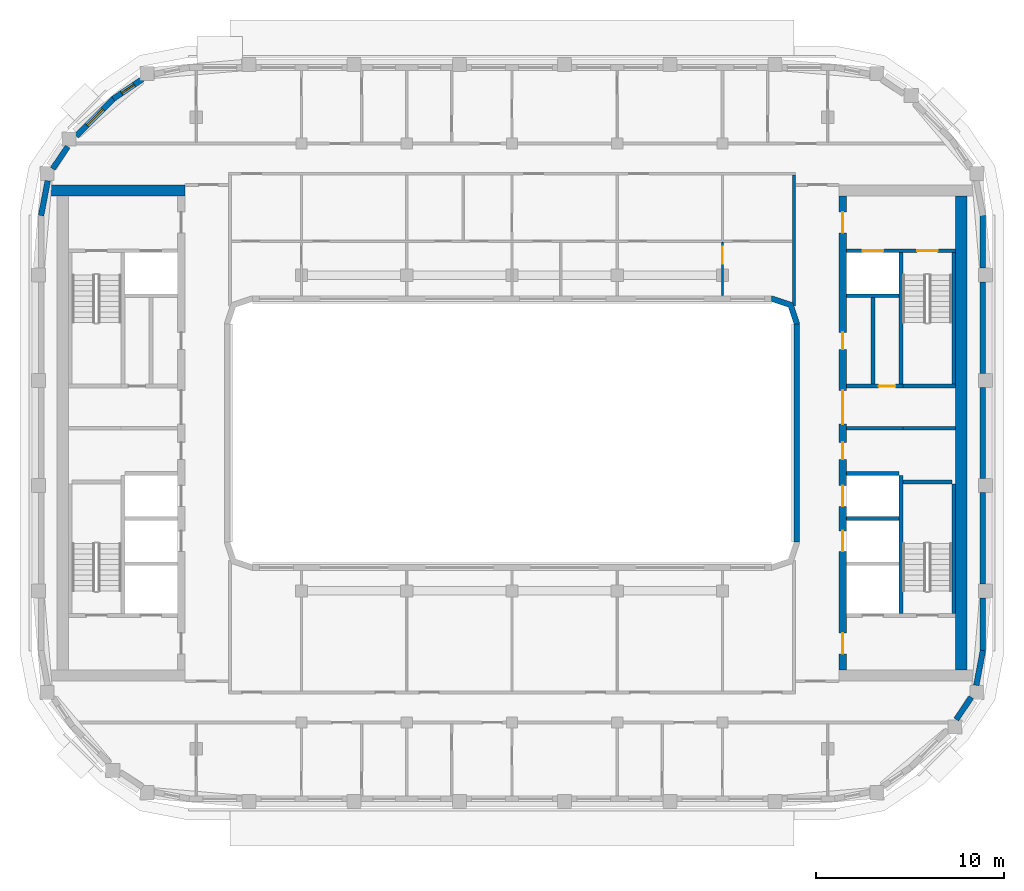
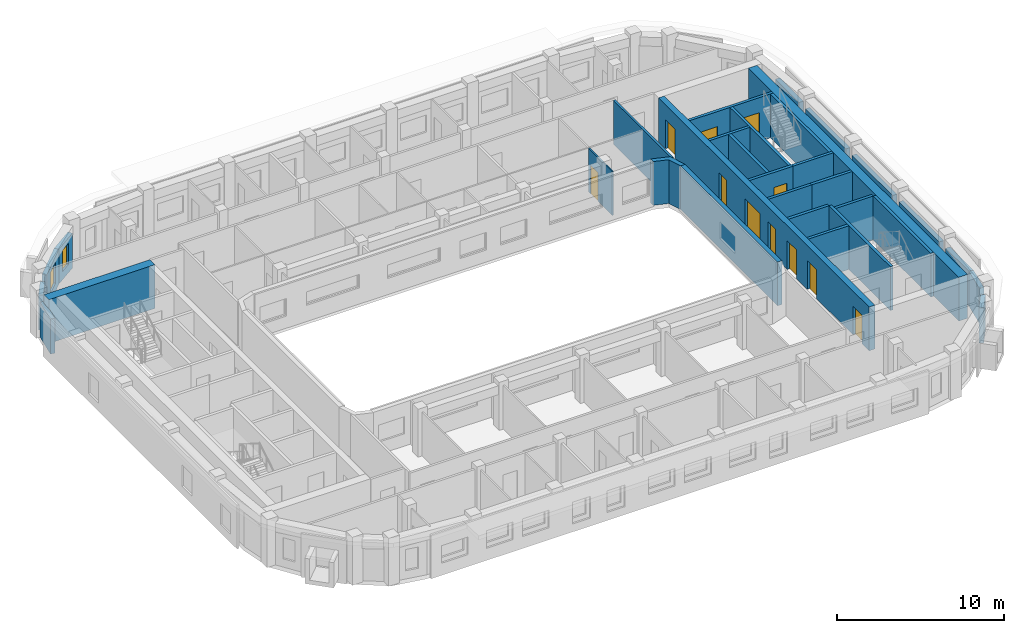
# One storey, part 6 of 16: 32 walls, 11 doors, 2 windows, 13 openings.
"""IFC4 building model written with IfcOpenShell, lengths in metres."""

from ifc_helpers import new_model, si_unit, direction, frame, frame_2d, origin, place, context, subcontext, project, spatial, polyline, rectangle, outline, extrude, material, layer, layer_set, type_object, element, fill, save


model = new_model("IFC4")

# Units and contexts
model_context = context("Model", 3, precision=1e-05, world=origin(), true_north=direction((0.0, 1.0)))
body_context = subcontext(model_context, "Body", "Model", "MODEL_VIEW")
ifc_project = project(units=[si_unit("LENGTHUNIT", "METRE"), si_unit("AREAUNIT", "SQUARE_METRE"), si_unit("VOLUMEUNIT", "CUBIC_METRE"), si_unit("PLANEANGLEUNIT", "RADIAN"), si_unit("MASSUNIT", "GRAM", prefix="KILO")], contexts=[model_context])

# Site, building, storey
site_placement = place(None, origin())
site = spatial("IfcSite", under=ifc_project, at=site_placement, CompositionType="ELEMENT")
building_placement = place(site_placement, origin())
building = spatial("IfcBuilding", under=site, at=building_placement, Name="Kiln Ring Residences", CompositionType="ELEMENT")
storey_placement = place(building_placement, frame((0.0, 0.0, 276.699951171875)))
storey = spatial("IfcBuildingStorey", under=building, at=storey_placement, Name="L72", CompositionType="ELEMENT", Elevation=276.699951171875)

# Walls
ifc_material_1 = material(Name="Gypsum board on steel studs", Category="steel")
ifc_layer_1 = layer(ifc_material_1, 0.199951171875)
ifc_layer_set_1 = layer_set([ifc_layer_1], Name="CORE-PARTITION-200")
wall_type_1 = type_object("IfcWallType", Name="CORE-PARTITION-200", PredefinedType="PARTITIONING", material=ifc_layer_set_1)
wall_1_placement = place(storey_placement, frame((20.800048828125, 0.25, 0.0), z_axis=(0.0, 0.0, 1.0), x_axis=(1.0, 0.0, 0.0)))
element("IfcWall", 1, at=wall_1_placement, inside=storey, type_object=wall_type_1, Name="Core partition east L72 1", PredefinedType="PARTITIONING", context=body_context, shape_type="SweptSolid", body=[
    extrude(rectangle(XDim=2.800048828125, YDim=0.199951171875, at=frame_2d((1.39990234375, 0.0))), origin(), (0.0, 0.0, 1.0), 3.199951171875),
])
wall_2_placement = place(storey_placement, frame((19.199951171875, 2.60009765625, 0.0), z_axis=(0.0, 0.0, 1.0), x_axis=(0.0, 1.0, 0.0)))
element("IfcWall", 2, at=wall_2_placement, inside=storey, type_object=wall_type_1, Name="Core partition east L72 2", PredefinedType="PARTITIONING", context=body_context, shape_type="SweptSolid", body=[
    extrude(rectangle(XDim=4.599853515625, YDim=0.199951171875, at=frame_2d((2.2998046875, 0.0))), origin(), (0.0, 0.0, 1.0), 3.199951171875),
])
ifc_material_2 = material(Name="Gypsum shaft wall system")
ifc_layer_2 = layer(ifc_material_2, 0.199951171875)
ifc_layer_set_2 = layer_set([ifc_layer_2], Name="CORE-SHAFT-WALL-200")
wall_type_2 = type_object("IfcWallType", Name="CORE-SHAFT-WALL-200", PredefinedType="PARTITIONING", material=ifc_layer_set_2)
for number, where, z_axis, x_axis, name in (
    (3, (17.800048828125, -4.550048828125, 0.0), (0.0, 0.0, 1.0), (1.0, 0.0, 0.0), "Core partition east L72 4"),
    (4, (17.800048828125, -2.14990234375, 0.0), (0.0, 0.0, 1.0), (1.0, 0.0, 0.0), "Core partition east L72 5"),
):
    element("IfcWall", number, at=place(storey_placement, frame(where, z_axis=z_axis, x_axis=x_axis)), inside=storey, type_object=wall_type_2, Name=name, PredefinedType="PARTITIONING", context=body_context, shape_type="SweptSolid", body=[
        extrude(rectangle(XDim=2.800048828125, YDim=0.199951171875, at=frame_2d((1.39990234375, 0.0))), origin(), (0.0, 0.0, 1.0), 3.199951171875),
    ])
wall_3_placement = place(storey_placement, frame((17.800048828125, 0.25, 0.0), z_axis=(0.0, 0.0, 1.0), x_axis=(1.0, 0.0, 0.0)))
element("IfcWall", 5, at=wall_3_placement, inside=storey, type_object=wall_type_2, Name="Core partition east L72 6", PredefinedType="PARTITIONING", context=body_context, shape_type="SweptSolid", body=[
    extrude(rectangle(XDim=3.0, YDim=0.199951171875, at=frame_2d((1.5, 0.0))), origin(), (0.0, 0.0, 1.0), 3.199951171875),
])

# Wall, opening, door
wall_4_placement = place(storey_placement, frame((17.800048828125, 2.5, 0.0), z_axis=(0.0, 0.0, 1.0), x_axis=(1.0, 0.0, 0.0)))
wall_4 = element("IfcWall", 6, at=wall_4_placement, inside=storey, type_object=wall_type_2, Name="Core partition east L72 7", PredefinedType="PARTITIONING", context=body_context, shape_type="SweptSolid", body=[
    extrude(rectangle(XDim=3.0, YDim=0.199951171875, at=frame_2d((1.5, 0.0))), origin(), (0.0, 0.0, 1.0), 3.199951171875),
])
opening_1_placement = place(wall_4_placement, frame((1.699951171875, 0.0, 0.0)))
opening_1 = element("IfcOpeningElement", 7, at=opening_1_placement, cuts=wall_4, Name="Opening L72-CE06", PredefinedType="OPENING", context=body_context, shape_type="SweptSolid", body=[
    extrude(rectangle(XDim=0.89990234375, YDim=2.10009765625, at=frame_2d((0.449951171875, 1.050048828125))), frame((0.0, 0.10986328125, 0.0), z_axis=(0.0, -1.0, 0.0), x_axis=(1.0, 0.0, 0.0)), (0.0, 0.0, 1.0), 0.219970703125),
])
ifc_material_3 = material(Name="Steel door leaf", Category="steel")
door_type_1 = type_object("IfcDoorType", Name="CORE-DOOR-ROOM", OperationType="SINGLE_SWING_LEFT", PredefinedType="DOOR", material=ifc_material_3)
door_1_placement = place(opening_1_placement, origin())
door_1 = element("IfcDoor", 8, at=door_1_placement, inside=storey, type_object=door_type_1, Name="Linen store L72-CE06", OperationType="SINGLE_SWING_RIGHT", OverallHeight=2.10009765625, OverallWidth=0.89990234375, PredefinedType="DOOR", context=body_context, shape_type="SweptSolid", body=[
    extrude(rectangle(XDim=0.89990234375, YDim=2.10009765625, at=frame_2d((0.449951171875, 1.050048828125))), frame((0.0, 0.02490234375, 0.0), z_axis=(0.0, -1.0, 0.0), x_axis=(1.0, 0.0, 0.0)), (0.0, 0.0, 1.0), 0.050048828125),
])
fill(opening_1, door_1)

# Walls
wall_5_placement = place(storey_placement, frame((17.800048828125, 7.300048828125, 0.0), z_axis=(0.0, 0.0, 1.0), x_axis=(1.0, 0.0, 0.0)))
element("IfcWall", 9, at=wall_5_placement, inside=storey, type_object=wall_type_2, Name="Core partition east L72 8", PredefinedType="PARTITIONING", context=body_context, shape_type="SweptSolid", body=[
    extrude(rectangle(XDim=2.800048828125, YDim=0.199951171875, at=frame_2d((1.39990234375, 0.0))), origin(), (0.0, 0.0, 1.0), 3.199951171875),
])
ifc_material_4 = material(Name="Concrete C40/50", Category="concrete")
ifc_layer_3 = layer(ifc_material_4, 0.199951171875)
ifc_layer_set_3 = layer_set([ifc_layer_3], Name="CORE-WALL-RC200")
wall_type_3 = type_object("IfcWallType", Name="CORE-WALL-RC200", PredefinedType="SHEAR", material=ifc_layer_set_3)
wall_6_placement = place(storey_placement, frame((20.699951171875, 2.60009765625, 0.0), z_axis=(0.0, 0.0, 1.0), x_axis=(0.0, 1.0, 0.0)))
element("IfcWall", 10, at=wall_6_placement, inside=storey, type_object=wall_type_3, Name="Core wall east L72 1", PredefinedType="SHEAR", context=body_context, shape_type="SweptSolid", body=[
    extrude(rectangle(XDim=7.0, YDim=0.199951171875, at=frame_2d((3.5, 0.0))), origin(), (0.0, 0.0, 1.0), 3.199951171875),
])
wall_7_placement = place(storey_placement, frame((20.699951171875, -9.60009765625, 0.0), z_axis=(0.0, 0.0, 1.0), x_axis=(0.0, 1.0, 0.0)))
element("IfcWall", 11, at=wall_7_placement, inside=storey, type_object=wall_type_3, Name="Core wall east L72 2", PredefinedType="SHEAR", context=body_context, shape_type="SweptSolid", body=[
    extrude(rectangle(XDim=7.35009765625, YDim=0.199951171875, at=frame_2d((3.675048828125, 0.0))), origin(), (0.0, 0.0, 1.0), 3.199951171875),
])
wall_8_placement = place(storey_placement, frame((20.800048828125, 2.5, 0.0), z_axis=(0.0, 0.0, 1.0), x_axis=(1.0, 0.0, 0.0)))
element("IfcWall", 12, at=wall_8_placement, inside=storey, type_object=wall_type_3, Name="Core wall east L72 3", PredefinedType="SHEAR", context=body_context, shape_type="SweptSolid", body=[
    extrude(rectangle(XDim=2.800048828125, YDim=0.199951171875, at=frame_2d((1.39990234375, 0.0))), origin(), (0.0, 0.0, 1.0), 3.199951171875),
])

# Wall, openings, doors
wall_9_placement = place(storey_placement, frame((17.800048828125, 9.699951171875, 0.0), z_axis=(0.0, 0.0, 1.0), x_axis=(1.0, 0.0, 0.0)))
wall_9 = element("IfcWall", 13, at=wall_9_placement, inside=storey, type_object=wall_type_3, Name="Core wall east L72 9", PredefinedType="SHEAR", context=body_context, shape_type="SweptSolid", body=[
    extrude(rectangle(XDim=5.800048828125, YDim=0.199951171875, at=frame_2d((2.89990234375, 0.0))), origin(), (0.0, 0.0, 1.0), 3.199951171875),
])
opening_2_placement = place(wall_9_placement, frame((0.85009765625, 0.0, 0.0)))
opening_2 = element("IfcOpeningElement", 14, at=opening_2_placement, cuts=wall_9, Name="Opening L72-CE07", PredefinedType="OPENING", context=body_context, shape_type="SweptSolid", body=[
    extrude(rectangle(XDim=1.10009765625, YDim=2.10009765625, at=frame_2d((0.550048828125, 1.050048828125))), frame((0.0, 0.10986328125, 0.0), z_axis=(0.0, -1.0, 0.0), x_axis=(1.0, 0.0, 0.0)), (0.0, 0.0, 1.0), 0.219970703125),
])
opening_3_placement = place(wall_9_placement, frame((3.75, 0.0, 0.0)))
opening_3 = element("IfcOpeningElement", 15, at=opening_3_placement, cuts=wall_9, Name="Opening L72-CE10", PredefinedType="OPENING", context=body_context, shape_type="SweptSolid", body=[
    extrude(rectangle(XDim=1.10009765625, YDim=2.10009765625, at=frame_2d((0.550048828125, 1.050048828125))), frame((0.0, 0.10986328125, 0.0), z_axis=(0.0, -1.0, 0.0), x_axis=(1.0, 0.0, 0.0)), (0.0, 0.0, 1.0), 0.219970703125),
])
ifc_material_5 = material(Name="Steel door leaf", Category="steel")
door_type_2 = type_object("IfcDoorType", Name="CORE-DOOR-LD", OperationType="DOUBLE_DOOR_SLIDING", PredefinedType="DOOR", material=ifc_material_5)
door_2_placement = place(opening_2_placement, origin())
door_2 = element("IfcDoor", 16, at=door_2_placement, inside=storey, type_object=door_type_2, Name="LD E-FF L72-CE07", OperationType="DOUBLE_DOOR_SLIDING", OverallHeight=2.10009765625, OverallWidth=1.10009765625, PredefinedType="DOOR", context=body_context, shape_type="SweptSolid", body=[
    extrude(rectangle(XDim=1.10009765625, YDim=2.10009765625, at=frame_2d((0.550048828125, 1.050048828125))), frame((0.0, 0.02490234375, 0.0), z_axis=(0.0, -1.0, 0.0), x_axis=(1.0, 0.0, 0.0)), (0.0, 0.0, 1.0), 0.050048828125),
])
fill(opening_2, door_2)
ifc_material_6 = material(Name="Steel door leaf", Category="steel")
door_type_3 = type_object("IfcDoorType", Name="CORE-DOOR-STAIR", OperationType="SINGLE_SWING_LEFT", PredefinedType="DOOR", material=ifc_material_6)
door_3_placement = place(opening_3_placement, origin())
door_3 = element("IfcDoor", 17, at=door_3_placement, inside=storey, type_object=door_type_3, Name="Stair E-STN L72-CE10", OperationType="SINGLE_SWING_LEFT", OverallHeight=2.10009765625, OverallWidth=1.10009765625, PredefinedType="DOOR", context=body_context, shape_type="SweptSolid", body=[
    extrude(rectangle(XDim=1.10009765625, YDim=2.10009765625, at=frame_2d((0.550048828125, 1.050048828125))), frame((0.0, 0.02490234375, 0.0), z_axis=(0.0, -1.0, 0.0), x_axis=(1.0, 0.0, 0.0)), (0.0, 0.0, 1.0), 0.050048828125),
])
fill(opening_3, door_3)

# Walls
wall_10_placement = place(storey_placement, frame((23.5, 2.60009765625, 0.0), z_axis=(0.0, 0.0, 1.0), x_axis=(0.0, 1.0, 0.0)))
element("IfcWall", 18, at=wall_10_placement, inside=storey, type_object=wall_type_3, Name="Core wall east L72 10", PredefinedType="SHEAR", context=body_context, shape_type="SweptSolid", body=[
    extrude(rectangle(XDim=7.0, YDim=0.199951171875, at=frame_2d((3.5, 0.0))), origin(), (0.0, 0.0, 1.0), 3.199951171875),
])
wall_11_placement = place(storey_placement, frame((23.5, -9.60009765625, 0.0), z_axis=(0.0, 0.0, 1.0), x_axis=(0.0, 1.0, 0.0)))
element("IfcWall", 19, at=wall_11_placement, inside=storey, type_object=wall_type_3, Name="Core wall east L72 11", PredefinedType="SHEAR", context=body_context, shape_type="SweptSolid", body=[
    extrude(rectangle(XDim=6.900146484375, YDim=0.199951171875, at=frame_2d((3.4501953125, 0.0))), origin(), (0.0, 0.0, 1.0), 3.199951171875),
])
wall_12_placement = place(storey_placement, frame((20.800048828125, -2.60009765625, 0.0), z_axis=(0.0, 0.0, 1.0), x_axis=(1.0, 0.0, 0.0)))
element("IfcWall", 20, at=wall_12_placement, inside=storey, type_object=wall_type_3, Name="Core wall east L72 12", PredefinedType="SHEAR", context=body_context, shape_type="SweptSolid", body=[
    extrude(rectangle(XDim=2.599853515625, YDim=0.199951171875, at=frame_2d((1.2998046875, 0.0))), origin(), (0.0, 0.0, 1.0), 3.199951171875),
])

# Wall, openings, doors
ifc_material_7 = material(Name="Concrete C60/75", Category="concrete")
ifc_layer_4 = layer(ifc_material_7, 0.39990234375)
ifc_layer_set_4 = layer_set([ifc_layer_4], Name="CORE-WALL-RC400")
wall_type_4 = type_object("IfcWallType", Name="CORE-WALL-RC400", PredefinedType="SHEAR", material=ifc_layer_set_4)
wall_13_placement = place(storey_placement, frame((17.60009765625, -12.60009765625, 0.0), z_axis=(0.0, 0.0, 1.0), x_axis=(0.0, 1.0, 0.0)))
wall_13 = element("IfcWall", 21, at=wall_13_placement, inside=storey, type_object=wall_type_4, Name="Core wall east L72 6", PredefinedType="SHEAR", context=body_context, shape_type="SweptSolid", body=[
    extrude(rectangle(XDim=25.2001953125, YDim=0.39990234375, at=frame_2d((12.60009765625, 0.0))), origin(), (0.0, 0.0, 1.0), 3.199951171875),
])
opening_4_placement = place(wall_13_placement, frame((6.300048828125, 0.0, 0.0)))
opening_4 = element("IfcOpeningElement", 22, at=opening_4_placement, cuts=wall_13, Name="Opening L72-CE02", PredefinedType="OPENING", context=body_context, shape_type="SweptSolid", body=[
    extrude(rectangle(XDim=1.10009765625, YDim=2.10009765625, at=frame_2d((0.550048828125, 1.050048828125))), frame((0.0, 0.2099609375, 0.0), z_axis=(0.0, -1.0, 0.0), x_axis=(1.0, 0.0, 0.0)), (0.0, 0.0, 1.0), 0.419921875),
])
opening_5_placement = place(wall_13_placement, frame((8.699951171875, 0.0, 0.0)))
opening_5 = element("IfcOpeningElement", 23, at=opening_5_placement, cuts=wall_13, Name="Opening L72-CE03", PredefinedType="OPENING", context=body_context, shape_type="SweptSolid", body=[
    extrude(rectangle(XDim=1.10009765625, YDim=2.10009765625, at=frame_2d((0.550048828125, 1.050048828125))), frame((0.0, 0.2099609375, 0.0), z_axis=(0.0, -1.0, 0.0), x_axis=(1.0, 0.0, 0.0)), (0.0, 0.0, 1.0), 0.419921875),
])
opening_6_placement = place(wall_13_placement, frame((11.199951171875, 0.0, 0.0)))
opening_6 = element("IfcOpeningElement", 24, at=opening_6_placement, cuts=wall_13, Name="Opening L72-CE04", PredefinedType="OPENING", context=body_context, shape_type="SweptSolid", body=[
    extrude(rectangle(XDim=0.89990234375, YDim=2.10009765625, at=frame_2d((0.449951171875, 1.050048828125))), frame((0.0, 0.2099609375, 0.0), z_axis=(0.0, -1.0, 0.0), x_axis=(1.0, 0.0, 0.0)), (0.0, 0.0, 1.0), 0.419921875),
])
opening_7_placement = place(wall_13_placement, frame((17.050048828125, 0.0, 0.0)))
opening_7 = element("IfcOpeningElement", 25, at=opening_7_placement, cuts=wall_13, Name="Opening L72-CE05", PredefinedType="OPENING", context=body_context, shape_type="SweptSolid", body=[
    extrude(rectangle(XDim=0.89990234375, YDim=2.10009765625, at=frame_2d((0.449951171875, 1.050048828125))), frame((0.0, 0.2099609375, 0.0), z_axis=(0.0, -1.0, 0.0), x_axis=(1.0, 0.0, 0.0)), (0.0, 0.0, 1.0), 0.419921875),
])
opening_8_placement = place(wall_13_placement, frame((23.25, 0.0, 0.0)))
opening_8 = element("IfcOpeningElement", 26, at=opening_8_placement, cuts=wall_13, Name="Opening L72-CE08", PredefinedType="OPENING", context=body_context, shape_type="SweptSolid", body=[
    extrude(rectangle(XDim=1.10009765625, YDim=2.10009765625, at=frame_2d((0.550048828125, 1.050048828125))), frame((0.0, 0.2099609375, 0.0), z_axis=(0.0, -1.0, 0.0), x_axis=(1.0, 0.0, 0.0)), (0.0, 0.0, 1.0), 0.419921875),
])
opening_9_placement = place(wall_13_placement, frame((0.85009765625, 0.0, 0.0)))
opening_9 = element("IfcOpeningElement", 27, at=opening_9_placement, cuts=wall_13, Name="Opening L72-CE09", PredefinedType="OPENING", context=body_context, shape_type="SweptSolid", body=[
    extrude(rectangle(XDim=1.10009765625, YDim=2.10009765625, at=frame_2d((0.550048828125, 1.050048828125))), frame((0.0, 0.2099609375, 0.0), z_axis=(0.0, -1.0, 0.0), x_axis=(1.0, 0.0, 0.0)), (0.0, 0.0, 1.0), 0.419921875),
])
opening_10_placement = place(wall_13_placement, frame((13.074951171875, 0.0, 0.0)))
opening_10 = element("IfcOpeningElement", 28, at=opening_10_placement, cuts=wall_13, Name="Opening L72-CE12", PredefinedType="OPENING", context=body_context, shape_type="SweptSolid", body=[
    extrude(rectangle(XDim=1.800048828125, YDim=2.10009765625, at=frame_2d((0.89990234375, 1.050048828125))), frame((0.0, 0.2099609375, 0.0), z_axis=(0.0, -1.0, 0.0), x_axis=(1.0, 0.0, 0.0)), (0.0, 0.0, 1.0), 0.419921875),
])
door_4_placement = place(opening_4_placement, origin())
door_4 = element("IfcDoor", 29, at=door_4_placement, inside=storey, type_object=door_type_2, Name="LD E-H1 L72-CE02", OperationType="DOUBLE_DOOR_SLIDING", OverallHeight=2.10009765625, OverallWidth=1.10009765625, PredefinedType="DOOR", context=body_context, shape_type="SweptSolid", body=[
    extrude(rectangle(XDim=1.10009765625, YDim=2.10009765625, at=frame_2d((0.550048828125, 1.050048828125))), frame((0.0, 0.02490234375, 0.0), z_axis=(0.0, -1.0, 0.0), x_axis=(1.0, 0.0, 0.0)), (0.0, 0.0, 1.0), 0.050048828125),
])
fill(opening_4, door_4)
door_5_placement = place(opening_5_placement, origin())
door_5 = element("IfcDoor", 30, at=door_5_placement, inside=storey, type_object=door_type_2, Name="LD E-H2 L72-CE03", OperationType="DOUBLE_DOOR_SLIDING", OverallHeight=2.10009765625, OverallWidth=1.10009765625, PredefinedType="DOOR", context=body_context, shape_type="SweptSolid", body=[
    extrude(rectangle(XDim=1.10009765625, YDim=2.10009765625, at=frame_2d((0.550048828125, 1.050048828125))), frame((0.0, 0.02490234375, 0.0), z_axis=(0.0, -1.0, 0.0), x_axis=(1.0, 0.0, 0.0)), (0.0, 0.0, 1.0), 0.050048828125),
])
fill(opening_5, door_5)
ifc_material_8 = material(Name="Steel door leaf", Category="steel")
door_type_4 = type_object("IfcDoorType", Name="CORE-DOOR-LOBBY", OperationType="SINGLE_SWING_LEFT", PredefinedType="DOOR", material=ifc_material_8)
door_6_placement = place(opening_8_placement, origin())
door_6 = element("IfcDoor", 31, at=door_6_placement, inside=storey, type_object=door_type_4, Name="FFL L72-CE08", OperationType="SINGLE_SWING_RIGHT", OverallHeight=2.10009765625, OverallWidth=1.10009765625, PredefinedType="DOOR", context=body_context, shape_type="SweptSolid", body=[
    extrude(rectangle(XDim=1.10009765625, YDim=2.10009765625, at=frame_2d((0.550048828125, 1.050048828125))), frame((0.0, 0.02490234375, 0.0), z_axis=(0.0, -1.0, 0.0), x_axis=(1.0, 0.0, 0.0)), (0.0, 0.0, 1.0), 0.050048828125),
])
fill(opening_8, door_6)
door_7_placement = place(opening_9_placement, origin())
door_7 = element("IfcDoor", 32, at=door_7_placement, inside=storey, type_object=door_type_4, Name="SVL L72-CE09", OperationType="SINGLE_SWING_LEFT", OverallHeight=2.10009765625, OverallWidth=1.10009765625, PredefinedType="DOOR", context=body_context, shape_type="SweptSolid", body=[
    extrude(rectangle(XDim=1.10009765625, YDim=2.10009765625, at=frame_2d((0.550048828125, 1.050048828125))), frame((0.0, 0.02490234375, 0.0), z_axis=(0.0, -1.0, 0.0), x_axis=(1.0, 0.0, 0.0)), (0.0, 0.0, 1.0), 0.050048828125),
])
fill(opening_9, door_7)
ifc_material_9 = material(Name="Steel door leaf", Category="steel")
door_type_5 = type_object("IfcDoorType", Name="CORE-DOOR-PASS", OperationType="DOUBLE_DOOR_SINGLE_SWING", PredefinedType="DOOR", material=ifc_material_9)
door_8_placement = place(opening_10_placement, origin())
door_8 = element("IfcDoor", 33, at=door_8_placement, inside=storey, type_object=door_type_5, Name="Core passage L72-CE12", OperationType="DOUBLE_DOOR_SINGLE_SWING", OverallHeight=2.10009765625, OverallWidth=1.800048828125, PredefinedType="DOOR", context=body_context, shape_type="SweptSolid", body=[
    extrude(rectangle(XDim=1.800048828125, YDim=2.10009765625, at=frame_2d((0.89990234375, 1.050048828125))), frame((0.0, 0.02490234375, 0.0), z_axis=(0.0, -1.0, 0.0), x_axis=(1.0, 0.0, 0.0)), (0.0, 0.0, 1.0), 0.050048828125),
])
fill(opening_10, door_8)
door_9_placement = place(opening_6_placement, origin())
door_9 = element("IfcDoor", 34, at=door_9_placement, inside=storey, type_object=door_type_1, Name="Linen store L72-CE04", OperationType="SINGLE_SWING_LEFT", OverallHeight=2.10009765625, OverallWidth=0.89990234375, PredefinedType="DOOR", context=body_context, shape_type="SweptSolid", body=[
    extrude(rectangle(XDim=0.89990234375, YDim=2.10009765625, at=frame_2d((0.449951171875, 1.050048828125))), frame((0.0, 0.02490234375, 0.0), z_axis=(0.0, -1.0, 0.0), x_axis=(1.0, 0.0, 0.0)), (0.0, 0.0, 1.0), 0.050048828125),
])
fill(opening_6, door_9)
door_10_placement = place(opening_7_placement, origin())
door_10 = element("IfcDoor", 35, at=door_10_placement, inside=storey, type_object=door_type_1, Name="Janitor's store L72-CE05", OperationType="SINGLE_SWING_RIGHT", OverallHeight=2.10009765625, OverallWidth=0.89990234375, PredefinedType="DOOR", context=body_context, shape_type="SweptSolid", body=[
    extrude(rectangle(XDim=0.89990234375, YDim=2.10009765625, at=frame_2d((0.449951171875, 1.050048828125))), frame((0.0, 0.02490234375, 0.0), z_axis=(0.0, -1.0, 0.0), x_axis=(1.0, 0.0, 0.0)), (0.0, 0.0, 1.0), 0.050048828125),
])
fill(opening_7, door_10)

# Walls
ifc_material_10 = material(Name="Concrete C60/75", Category="concrete")
ifc_layer_5 = layer(ifc_material_10, 0.60009765625)
ifc_layer_set_5 = layer_set([ifc_layer_5], Name="CORE-WALL-RC600")
wall_type_5 = type_object("IfcWallType", Name="CORE-WALL-RC600", PredefinedType="SHEAR", material=ifc_layer_set_5)
wall_14_placement = place(storey_placement, frame((-17.39990234375, 12.89990234375, 0.0), z_axis=(0.0, 0.0, 1.0), x_axis=(-1.0, 0.0, 0.0)))
element("IfcWall", 36, at=wall_14_placement, inside=storey, type_object=wall_type_5, Name="Core wall west L72 4", PredefinedType="SHEAR", context=body_context, shape_type="SweptSolid", body=[
    extrude(rectangle(XDim=7.320068359375, YDim=0.60009765625, at=frame_2d((3.66015625, 0.0))), origin(), (0.0, 0.0, 1.0), 3.199951171875),
])
wall_15_placement = place(storey_placement, frame((23.89990234375, -12.60009765625, 0.0), z_axis=(0.0, 0.0, 1.0), x_axis=(0.0, 1.0, 0.0)))
element("IfcWall", 37, at=wall_15_placement, inside=storey, type_object=wall_type_5, Name="Core wall east L72 7", PredefinedType="SHEAR", context=body_context, shape_type="SweptSolid", body=[
    extrude(rectangle(XDim=25.2001953125, YDim=0.60009765625, at=frame_2d((12.60009765625, 0.0))), origin(), (0.0, 0.0, 1.0), 3.199951171875),
])
ifc_material_11 = material(Name="Brick masonry, dark clay brick", Category="masonry")
ifc_layer_6 = layer(ifc_material_11, 0.300048828125)
ifc_layer_set_6 = layer_set([ifc_layer_6], Name="EW-300 BRICK WALL")
wall_type_6 = type_object("IfcWallType", Name="EW-300 BRICK WALL", PredefinedType="SOLIDWALL", material=ifc_layer_set_6)
wall_16_placement = place(storey_placement, frame((23.634033203125, -15.2373046875, 0.0), z_axis=(0.0, 0.0, 1.0), x_axis=(0.562099454787, 0.827069648173, 0.0)))
element("IfcWall", 38, at=wall_16_placement, inside=storey, type_object=wall_type_6, Name="Facade wall L72 14", PredefinedType="SOLIDWALL", context=body_context, shape_type="SweptSolid", body=[
    extrude(rectangle(XDim=1.42724609375, YDim=0.300048828125, at=frame_2d((0.713623046875, 0.0))), origin(), (0.0, 0.0, 1.0), 2.550048828125),
])
wall_17_placement = place(storey_placement, frame((24.7001953125, -13.419677734375, 0.0), z_axis=(0.0, 0.0, 1.0), x_axis=(0.187398348234, 0.982284001233, 0.0)))
element("IfcWall", 39, at=wall_17_placement, inside=storey, type_object=wall_type_6, Name="Facade wall L72 15", PredefinedType="SOLIDWALL", context=body_context, shape_type="SweptSolid", body=[
    extrude(rectangle(XDim=1.88134765625, YDim=0.300048828125, at=frame_2d((0.940673828125, 0.0))), origin(), (0.0, 0.0, 1.0), 2.550048828125),
])
wall_18_placement = place(storey_placement, frame((25.050048828125, -11.60009765625, 0.0), z_axis=(0.0, 0.0, 1.0), x_axis=(0.0, 1.0, 0.0)))
element("IfcWall", 40, at=wall_18_placement, inside=storey, type_object=wall_type_6, Name="Facade wall L72 16", PredefinedType="SOLIDWALL", context=body_context, shape_type="SweptSolid", body=[
    extrude(rectangle(XDim=2.8251953125, YDim=0.300048828125, at=frame_2d((1.41259765625, 0.0))), origin(), (0.0, 0.0, 1.0), 2.550048828125),
])
wall_19_placement = place(storey_placement, frame((25.050048828125, -8.02490234375, 0.0), z_axis=(0.0, 0.0, 1.0), x_axis=(0.0, 1.0, 0.0)))
element("IfcWall", 41, at=wall_19_placement, inside=storey, type_object=wall_type_6, Name="Facade wall L72 17", PredefinedType="SOLIDWALL", context=body_context, shape_type="SweptSolid", body=[
    extrude(rectangle(XDim=4.849853515625, YDim=0.300048828125, at=frame_2d((2.4248046875, 0.0))), origin(), (0.0, 0.0, 1.0), 2.550048828125),
])
wall_20_placement = place(storey_placement, frame((25.050048828125, -2.425048828125, 0.0), z_axis=(0.0, 0.0, 1.0), x_axis=(0.0, 1.0, 0.0)))
element("IfcWall", 42, at=wall_20_placement, inside=storey, type_object=wall_type_6, Name="Facade wall L72 18", PredefinedType="SOLIDWALL", context=body_context, shape_type="SweptSolid", body=[
    extrude(rectangle(XDim=4.85009765625, YDim=0.300048828125, at=frame_2d((2.425048828125, 0.0))), origin(), (0.0, 0.0, 1.0), 2.550048828125),
])
wall_21_placement = place(storey_placement, frame((25.050048828125, 3.175048828125, 0.0), z_axis=(0.0, 0.0, 1.0), x_axis=(0.0, 1.0, 0.0)))
element("IfcWall", 43, at=wall_21_placement, inside=storey, type_object=wall_type_6, Name="Facade wall L72 19", PredefinedType="SOLIDWALL", context=body_context, shape_type="SweptSolid", body=[
    extrude(rectangle(XDim=4.849853515625, YDim=0.300048828125, at=frame_2d((2.4248046875, 0.0))), origin(), (0.0, 0.0, 1.0), 2.550048828125),
])
wall_22_placement = place(storey_placement, frame((25.050048828125, 8.77490234375, 0.0), z_axis=(0.0, 0.0, 1.0), x_axis=(0.0, 1.0, 0.0)))
element("IfcWall", 44, at=wall_22_placement, inside=storey, type_object=wall_type_6, Name="Facade wall L72 20", PredefinedType="SOLIDWALL", context=body_context, shape_type="SweptSolid", body=[
    extrude(rectangle(XDim=2.8251953125, YDim=0.300048828125, at=frame_2d((1.41259765625, 0.0))), origin(), (0.0, 0.0, 1.0), 2.550048828125),
])

# Wall, opening, window
wall_23_placement = place(storey_placement, frame((-19.656982421875, 18.836181640625, 0.0), z_axis=(0.0, 0.0, 1.0), x_axis=(-0.82704477487, -0.562136051469, 0.0)))
wall_23 = element("IfcWall", 45, at=wall_23_placement, inside=storey, type_object=wall_type_6, Name="Facade wall L72 34", PredefinedType="SOLIDWALL", context=body_context, shape_type="SweptSolid", body=[
    extrude(rectangle(XDim=1.881103515625, YDim=0.300048828125, at=frame_2d((0.9404296875, 0.0))), origin(), (0.0, 0.0, 1.0), 2.550048828125),
])
opening_11_placement = place(wall_23_placement, frame((0.54052734375, 0.0, 0.60009765625)))
opening_11 = element("IfcOpeningElement", 46, at=opening_11_placement, cuts=wall_23, Name="Opening W5", PredefinedType="OPENING", context=body_context, shape_type="SweptSolid", body=[
    extrude(rectangle(XDim=0.800048828125, YDim=1.550048828125, at=frame_2d((0.39990234375, 0.77490234375))), frame((0.0, 0.159912109375, 0.0), z_axis=(0.0, -1.0, 0.0), x_axis=(1.0, 0.0, 0.0)), (0.0, 0.0, 1.0), 0.320068359375),
])
ifc_material_12 = material(Name="Aluminium frame with double glazing", Category="aluminium")
window_type_1 = type_object("IfcWindowType", Name="WINDOW 800 x 1550", PartitioningType="SINGLE_PANEL", PredefinedType="WINDOW", material=ifc_material_12)
window_1_placement = place(opening_11_placement, origin())
window_1 = element("IfcWindow", 47, at=window_1_placement, inside=storey, type_object=window_type_1, Name="Window L72 34", OverallHeight=1.550048828125, OverallWidth=0.800048828125, PartitioningType="SINGLE_PANEL", PredefinedType="WINDOW", context=body_context, shape_type="SweptSolid", body=[
    extrude(rectangle(XDim=0.800048828125, YDim=1.550048828125, at=frame_2d((0.39990234375, 0.77490234375))), frame((0.0, 0.030029296875, 0.0), z_axis=(0.0, -1.0, 0.0), x_axis=(1.0, 0.0, 0.0)), (0.0, 0.0, 1.0), 0.06005859375),
])
fill(opening_11, window_1)

wall_24_placement = place(storey_placement, frame((-21.19091796875, 17.796875, 0.0), z_axis=(0.0, 0.0, 1.0), x_axis=(-0.707106781187, -0.707106781187, 0.0)))
wall_24 = element("IfcWall", 48, at=wall_24_placement, inside=storey, type_object=wall_type_6, Name="Facade wall L72 35", PredefinedType="SOLIDWALL", context=body_context, shape_type="SweptSolid", body=[
    extrude(rectangle(XDim=2.824951171875, YDim=0.300048828125, at=frame_2d((1.41259765625, 0.0))), origin(), (0.0, 0.0, 1.0), 2.550048828125),
])
opening_12_placement = place(wall_24_placement, frame((0.8125, 0.0, 0.60009765625)))
opening_12 = element("IfcOpeningElement", 49, at=opening_12_placement, cuts=wall_24, Name="Opening W1", PredefinedType="OPENING", context=body_context, shape_type="SweptSolid", body=[
    extrude(rectangle(XDim=1.199951171875, YDim=1.550048828125, at=frame_2d((0.60009765625, 0.77490234375))), frame((0.0, 0.159912109375, 0.0), z_axis=(0.0, -1.0, 0.0), x_axis=(1.0, 0.0, 0.0)), (0.0, 0.0, 1.0), 0.320068359375),
])
ifc_material_13 = material(Name="Aluminium frame with double glazing", Category="aluminium")
window_type_2 = type_object("IfcWindowType", Name="WINDOW 1200 x 1550", PartitioningType="SINGLE_PANEL", PredefinedType="WINDOW", material=ifc_material_13)
window_2_placement = place(opening_12_placement, origin())
window_2 = element("IfcWindow", 50, at=window_2_placement, inside=storey, type_object=window_type_2, Name="Window L72 35", OverallHeight=1.550048828125, OverallWidth=1.199951171875, PartitioningType="SINGLE_PANEL", PredefinedType="WINDOW", context=body_context, shape_type="SweptSolid", body=[
    extrude(rectangle(XDim=1.199951171875, YDim=1.550048828125, at=frame_2d((0.60009765625, 0.77490234375))), frame((0.0, 0.030029296875, 0.0), z_axis=(0.0, -1.0, 0.0), x_axis=(1.0, 0.0, 0.0)), (0.0, 0.0, 1.0), 0.06005859375),
])
fill(opening_12, window_2)

# Walls
wall_25_placement = place(storey_placement, frame((-23.634033203125, 15.2373046875, 0.0), z_axis=(0.0, 0.0, 1.0), x_axis=(-0.562099454787, -0.827069648173, 0.0)))
element("IfcWall", 51, at=wall_25_placement, inside=storey, type_object=wall_type_6, Name="Facade wall L72 36", PredefinedType="SOLIDWALL", context=body_context, shape_type="SweptSolid", body=[
    extrude(rectangle(XDim=1.42724609375, YDim=0.300048828125, at=frame_2d((0.713623046875, 0.0))), origin(), (0.0, 0.0, 1.0), 2.550048828125),
])
wall_26_placement = place(storey_placement, frame((-24.7001953125, 13.419677734375, 0.0), z_axis=(0.0, 0.0, 1.0), x_axis=(-0.187398348234, -0.982284001233, 0.0)))
element("IfcWall", 52, at=wall_26_placement, inside=storey, type_object=wall_type_6, Name="Facade wall L72 37", PredefinedType="SOLIDWALL", context=body_context, shape_type="SweptSolid", body=[
    extrude(rectangle(XDim=1.88134765625, YDim=0.300048828125, at=frame_2d((0.940673828125, 0.0))), origin(), (0.0, 0.0, 1.0), 2.550048828125),
])
wall_27_placement = place(storey_placement, frame((15.14990234375, 5.800048828125, 0.0), z_axis=(0.0, 0.0, 1.0), x_axis=(0.0, -1.0, 0.0)))
element("IfcWall", 53, at=wall_27_placement, inside=storey, type_object=wall_type_6, Name="Facade wall L72 47", PredefinedType="SOLIDWALL", context=body_context, shape_type="SweptSolid", body=[
    extrude(rectangle(XDim=11.60009765625, YDim=0.300048828125, at=frame_2d((5.800048828125, 0.0))), origin(), (0.0, 0.0, 1.0), 3.199951171875),
])
wall_28_placement = place(storey_placement, origin())
element("IfcWall", 54, at=wall_28_placement, inside=storey, type_object=wall_type_6, Name="Corner wall L72 2", PredefinedType="SOLIDWALL", context=body_context, shape_type="SweptSolid", body=[
    extrude(outline(polyline([(14.937255859375, 6.937255859375), (13.8486328125, 7.300048828125), (13.800048828125, 7.300048828125), (13.800048828125, 7.0), (14.699951171875, 6.699951171875), (15.0, 5.800048828125), (15.300048828125, 5.800048828125), (15.300048828125, 5.8486328125), (14.937255859375, 6.937255859375)])), origin(), (0.0, 0.0, 1.0), 3.199951171875),
])

# Wall, opening, door
ifc_material_14 = material(Name="Gypsum board on steel studs", Category="steel")
ifc_layer_7 = layer(ifc_material_14, 0.10009765625)
ifc_layer_set_7 = layer_set([ifc_layer_7], Name="PARTITION-100")
wall_type_7 = type_object("IfcWallType", Name="PARTITION-100", PredefinedType="PARTITIONING", material=ifc_layer_set_7)
wall_29_placement = place(storey_placement, frame((11.199951171875, 7.320068359375, 0.0), z_axis=(0.0, 0.0, 1.0), x_axis=(0.0, 1.0, 0.0)))
wall_29 = element("IfcWall", 55, at=wall_29_placement, inside=storey, type_object=wall_type_7, Name="Partition 042", PredefinedType="PARTITIONING", context=body_context, shape_type="SweptSolid", body=[
    extrude(rectangle(XDim=2.829833984375, YDim=0.10009765625, at=frame_2d((1.4150390625, 0.0))), origin(), (0.0, 0.0, 1.0), 3.199951171875),
])
opening_13_placement = place(wall_29_placement, frame((1.699951171875, 0.0, 0.0)))
opening_13 = element("IfcOpeningElement", 56, at=opening_13_placement, cuts=wall_29, Name="Opening L72-D018", PredefinedType="OPENING", context=body_context, shape_type="SweptSolid", body=[
    extrude(rectangle(XDim=0.89990234375, YDim=2.10009765625, at=frame_2d((0.449951171875, 1.050048828125))), frame((0.0, 0.06005859375, 0.0), z_axis=(0.0, -1.0, 0.0), x_axis=(1.0, 0.0, 0.0)), (0.0, 0.0, 1.0), 0.1201171875),
])
ifc_material_15 = material(Name="Timber door leaf", Category="wood")
door_type_6 = type_object("IfcDoorType", Name="FLAT-DOOR-900-PL", OperationType="SINGLE_SWING_LEFT", PredefinedType="DOOR", material=ifc_material_15)
door_11_placement = place(opening_13_placement, origin())
door_11 = element("IfcDoor", 57, at=door_11_placement, inside=storey, type_object=door_type_6, Name="Door L72-D018", OperationType="SINGLE_SWING_RIGHT", OverallHeight=2.10009765625, OverallWidth=0.89990234375, PredefinedType="DOOR", context=body_context, shape_type="SweptSolid", body=[
    extrude(rectangle(XDim=0.89990234375, YDim=2.10009765625, at=frame_2d((0.449951171875, 1.050048828125))), frame((0.0, 0.02490234375, 0.0), z_axis=(0.0, -1.0, 0.0), x_axis=(1.0, 0.0, 0.0)), (0.0, 0.0, 1.0), 0.050048828125),
])
fill(opening_13, door_11)

# Wall
ifc_material_16 = material(Name="Brick masonry partition", Category="masonry")
ifc_layer_8 = layer(ifc_material_16, 0.14990234375)
ifc_layer_set_8 = layer_set([ifc_layer_8], Name="PARTITION-150-ei60")
wall_type_8 = type_object("IfcWallType", Name="PARTITION-150-ei60", PredefinedType="PARTITIONING", material=ifc_layer_set_8)
wall_30_placement = place(storey_placement, frame((15.0, 6.768798828125, 0.0), z_axis=(0.0, 0.0, 1.0), x_axis=(0.0, 1.0, 0.0)))
element("IfcWall", 58, at=wall_30_placement, inside=storey, type_object=wall_type_8, Name="Partition 047", PredefinedType="PARTITIONING", context=body_context, shape_type="SweptSolid", body=[
    extrude(rectangle(XDim=6.956298828125, YDim=0.14990234375, at=frame_2d((3.47802734375, 0.0))), origin(), (0.0, 0.0, 1.0), 3.199951171875),
])

save(model, "model.ifc")
